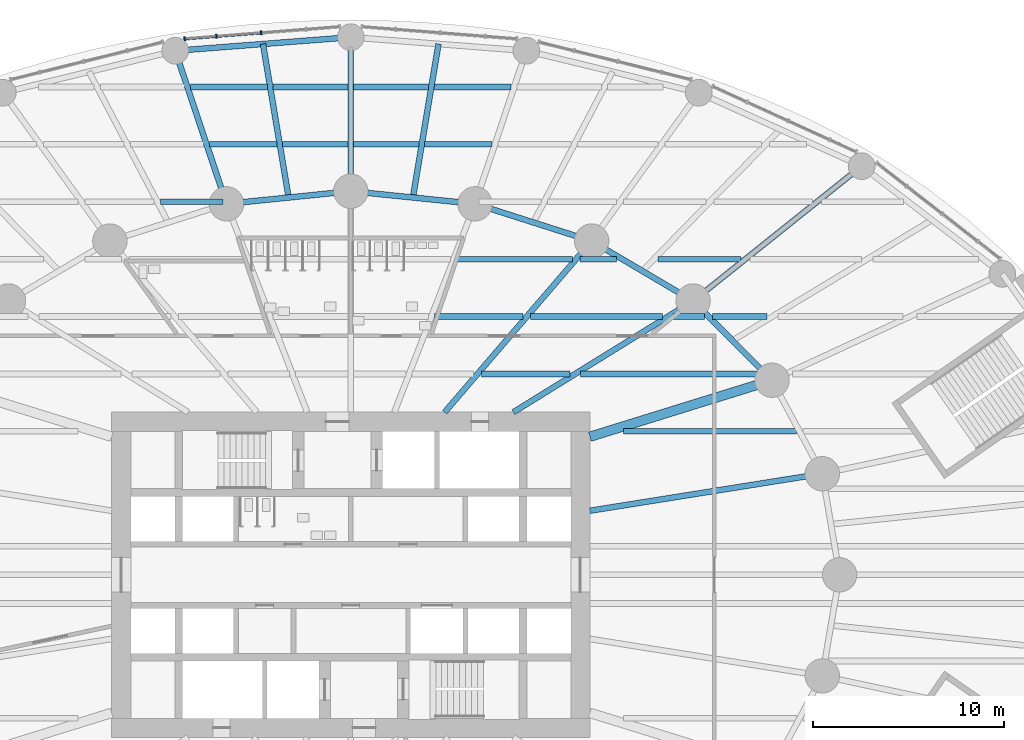
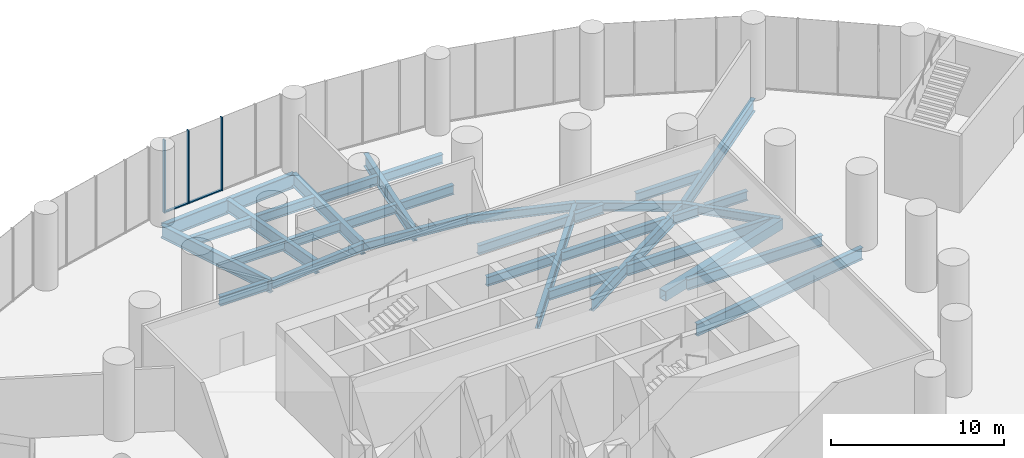
# One storey, part 9 of 21: 34 beams, 5 members, 1 element without a shape of its own.
"""IFC4 building model written with IfcOpenShell, lengths in metres."""

import ifcopenshell
import ifcopenshell.guid

model = None  # the IFC model being written
_history = None  # IfcOwnerHistory: only IFC2X3 demands one
_inside = {}  # id of a spatial element -> (the spatial element, [elements in it])
_under = {}  # id of a project, library or spatial element -> (it, [spatial elements below it])
_declared = {}  # id of a project -> (the project, [libraries it declares])
_typed = {}  # id of a type object -> (the type object, [elements of that type])
_made_of = {}  # id of a material, layer set ... -> (it, [elements and type objects made of it])


def new_model(schema):
    """Start an empty IFC model of exactly this schema.

    Asked for "IFC4X3", IfcOpenShell would pick the latest addendum, in which some entities
    have other attributes; the version numbers below select the first issue.
    IFC2X3 requires an IfcOwnerHistory on every rooted entity: one is made here for all.
    """
    global model, _history
    if schema == "IFC4X3":
        model = ifcopenshell.file(schema_version=(4, 3, 0, 0))
    else:
        model = ifcopenshell.file(schema=schema)
    _inside.clear()
    _under.clear()
    _declared.clear()
    _typed.clear()
    _made_of.clear()
    _history = None
    if model.schema == "IFC2X3":
        org = make("IfcOrganization", Name="unknown")
        user = make(
            "IfcPersonAndOrganization",
            ThePerson=make("IfcPerson", FamilyName="unknown"),
            TheOrganization=org,
        )
        app = make(
            "IfcApplication",
            ApplicationDeveloper=org,
            Version="unknown",
            ApplicationFullName="unknown",
            ApplicationIdentifier="unknown",
        )
        _history = make(
            "IfcOwnerHistory",
            OwningUser=user,
            OwningApplication=app,
            ChangeAction="ADDED",
            CreationDate=0,
        )
    return model


def make(cls, **values):
    """One entity of the class cls with the attributes given. An attribute that is None is left unset."""
    return model.create_entity(
        cls, **{name: value for name, value in values.items() if value is not None}
    )


def rooted(cls, **values):
    """An entity with a GlobalId (a new one), such as an element, a storey or a relation."""
    return make(cls, GlobalId=ifcopenshell.guid.new(), OwnerHistory=_history, **values)


def si_unit(unit_type, name, prefix=None):
    """IfcSIUnit, for example si_unit("LENGTHUNIT", "METRE", prefix="MILLI")."""
    return make("IfcSIUnit", UnitType=unit_type, Prefix=prefix, Name=name)


def assignment(units):
    """IfcUnitAssignment: the units of a project."""
    return None if units is None else make("IfcUnitAssignment", Units=units)


def point(xyz):
    """IfcCartesianPoint."""
    return None if xyz is None else make("IfcCartesianPoint", Coordinates=xyz)


def direction(xyz):
    """IfcDirection."""
    return None if xyz is None else make("IfcDirection", DirectionRatios=xyz)


def frame(location, z_axis=None, x_axis=None):
    """IfcAxis2Placement3D, a coordinate frame: its origin and axes. An axis left out is left unset."""
    return make(
        "IfcAxis2Placement3D",
        Location=point(location),
        Axis=direction(z_axis),
        RefDirection=direction(x_axis),
    )


def frame_2d(location, x_axis=None):
    """IfcAxis2Placement2D, a coordinate frame in the plane: its origin and x axis."""
    return make(
        "IfcAxis2Placement2D", Location=point(location), RefDirection=direction(x_axis)
    )


def origin():
    """The frame at (0, 0, 0) with its axes left unset."""
    return frame((0.0, 0.0, 0.0))


def origin_2d():
    """The frame at (0, 0) in the plane with its x axis left unset."""
    return frame_2d((0.0, 0.0))


def place(relative_to, where):
    """IfcLocalPlacement: puts the frame where relative to a parent placement (None: the world)."""
    return make(
        "IfcLocalPlacement", PlacementRelTo=relative_to, RelativePlacement=where
    )


def context(
    kind, dimensions, precision=None, world=None, true_north=None, identifier=None
):
    """IfcGeometricRepresentationContext, for example the 3D "Model" context."""
    return make(
        "IfcGeometricRepresentationContext",
        ContextIdentifier=identifier,
        ContextType=kind,
        CoordinateSpaceDimension=dimensions,
        Precision=precision,
        WorldCoordinateSystem=world,
        TrueNorth=true_north,
    )


def subcontext(parent, identifier, kind, view, scale=None):
    """IfcGeometricRepresentationSubContext, for example "Body" below "Model"."""
    return make(
        "IfcGeometricRepresentationSubContext",
        ContextIdentifier=identifier,
        ContextType=kind,
        ParentContext=parent,
        TargetScale=scale,
        TargetView=view,
    )


def project(units=None, contexts=None):
    """IfcProject with its units and contexts."""
    return rooted(
        "IfcProject",
        Name="project",
        RepresentationContexts=contexts,
        UnitsInContext=assignment(units),
    )


def spatial(cls, under=None, at=None, **own):
    """A site, building, storey or space (cls), placed at a placement, below another one or the project."""
    s = rooted(cls, ObjectPlacement=at, **own)
    if under is not None:
        _under.setdefault(under.id(), (under, []))[1].append(s)
    return s


def profile(cls, at=None, kind="AREA", **sizes):
    """A parametric profile (cls). Its sizes go by their IFC names, for example OverallWidth=200.0."""
    return make(cls, ProfileType=kind, Position=at, **sizes)


def rectangle(**sizes):
    """IfcRectangleProfileDef."""
    return profile("IfcRectangleProfileDef", **sizes)


def hollow_rectangle(**sizes):
    """IfcRectangleHollowProfileDef."""
    return profile("IfcRectangleHollowProfileDef", **sizes)


def i_section(**sizes):
    """IfcIShapeProfileDef."""
    return profile("IfcIShapeProfileDef", **sizes)


def extrude(swept, where, along, depth):
    """IfcExtrudedAreaSolid: the profile swept, set in the frame where, extruded along a direction by depth."""
    return make(
        "IfcExtrudedAreaSolid",
        SweptArea=swept,
        Position=where,
        ExtrudedDirection=direction(along),
        Depth=depth,
    )


def shape(context_of_items, identifier, shape_type, items):
    """IfcShapeRepresentation: the items that make up one representation, for example the "Body"."""
    return make(
        "IfcShapeRepresentation",
        ContextOfItems=context_of_items,
        RepresentationIdentifier=identifier,
        RepresentationType=shape_type,
        Items=items,
    )


def material(Name=None, Category=None):
    """IfcMaterial."""
    return make("IfcMaterial", Name=Name, Category=Category)


def material_profile(
    of_material, cross_section, Name=None, Category=None, Priority=None
):
    """IfcMaterialProfile: a cross section and its material."""
    return make(
        "IfcMaterialProfile",
        Name=Name,
        Material=of_material,
        Profile=cross_section,
        Priority=Priority,
        Category=Category,
    )


def profile_set(profiles, Name=None, composite=None):
    """IfcMaterialProfileSet."""
    return make(
        "IfcMaterialProfileSet",
        Name=Name,
        MaterialProfiles=profiles,
        CompositeProfile=composite,
    )


def made_of(thing, what):
    """Note that an element or type object is made of a material, layer set ...; save() writes the relation."""
    if what is not None:
        _made_of.setdefault(what.id(), (what, []))[1].append(thing)
    return thing


def type_object(cls, material=None, **own):
    """A type object (cls), such as IfcWallType, which elements share."""
    return made_of(rooted(cls, **own), material)


def element(
    cls,
    number,
    at=None,
    inside=None,
    cuts=None,
    type_object=None,
    material=None,
    context=None,
    identifier="Body",
    shape_type=None,
    held_by="IfcProductDefinitionShape",
    body=None,
    shapes=None,
    **own,
):
    """One element of the class cls, such as IfcWall. Its Tag is "e" and its number.

    at: its placement. inside: the storey or other place that contains it. cuts: it is an
    opening in that element (IfcRelVoidsElement). A single representation is given by context,
    identifier, shape_type and body (its items); several are given by shapes. held_by: the class
    of the entity that holds the representations. save() writes the other relations.
    """
    e = rooted(cls, Tag="e%d" % number, ObjectPlacement=at, **own)
    if body is not None:
        shapes = [shape(context, identifier, shape_type, body)]
    if shapes is not None:
        e.Representation = make(held_by, Representations=shapes)
    if inside is not None:
        _inside.setdefault(inside.id(), (inside, []))[1].append(e)
    if cuts is not None:
        rooted(
            "IfcRelVoidsElement", RelatingBuildingElement=cuts, RelatedOpeningElement=e
        )
    if type_object is not None:
        _typed.setdefault(type_object.id(), (type_object, []))[1].append(e)
    return made_of(e, material)


def aggregate(whole, parts):
    """IfcRelAggregates: a whole, such as a stair, and the parts it consists of."""
    return rooted("IfcRelAggregates", RelatingObject=whole, RelatedObjects=parts)


def save(model, path):
    """Write the relations noted so far, then the file.

    IfcRelAggregates (storeys below a building ...), IfcRelContainedInSpatialStructure (elements
    in a storey), IfcRelDefinesByType, IfcRelAssociatesMaterial and IfcRelDeclares: one each for
    every whole, place, type object, material and project.
    """
    for whole, parts in _under.values():
        aggregate(whole, parts)
    for where, things in _inside.values():
        rooted(
            "IfcRelContainedInSpatialStructure",
            RelatedElements=things,
            RelatingStructure=where,
        )
    for kind, things in _typed.values():
        rooted("IfcRelDefinesByType", RelatedObjects=things, RelatingType=kind)
    for what, things in _made_of.values():
        rooted("IfcRelAssociatesMaterial", RelatedObjects=things, RelatingMaterial=what)
    for by, libraries in _declared.values():
        rooted("IfcRelDeclares", RelatingContext=by, RelatedDefinitions=libraries)
    model.write(path)


model = new_model("IFC4")

# Units and contexts
model_context = context("Model", 3, precision=1e-05, world=origin(), true_north=direction((0.0, 1.0)))
body_context = subcontext(model_context, "Body", "Model", "MODEL_VIEW")
ifc_project = project(units=[si_unit("LENGTHUNIT", "METRE"), si_unit("AREAUNIT", "SQUARE_METRE"), si_unit("VOLUMEUNIT", "CUBIC_METRE"), si_unit("PLANEANGLEUNIT", "RADIAN"), si_unit("MASSUNIT", "GRAM", prefix="KILO")], contexts=[model_context])

# Site, building, storey
site_placement = place(None, origin())
site = spatial("IfcSite", under=ifc_project, at=site_placement, CompositionType="ELEMENT")
building_placement = place(site_placement, origin())
building = spatial("IfcBuilding", under=site, at=building_placement, Name="Hankou Lantern Tower", CompositionType="ELEMENT")
storey_placement = place(building_placement, frame((0.0, 0.0, 13.800048828125)))
storey = spatial("IfcBuildingStorey", under=building, at=storey_placement, Name="L02", CompositionType="ELEMENT", Elevation=13.800048828125)

# Beams
ifc_material_1 = material(Name="Steel Q355B", Category="steel")
ifc_material_profile_1 = material_profile(ifc_material_1, i_section(OverallWidth=0.300048828125, OverallDepth=0.587890625, WebThickness=0.011962890625, FlangeThickness=0.02001953125, FilletRadius=0.01806640625, at=origin_2d()), Name="HM588x300x12x20")
ifc_profile_set_1 = profile_set([ifc_material_profile_1], Name="Steel Q355B")
beam_type_1 = type_object("IfcBeamType", Name="EB16 RING BEAM HM588x300x12x20", PredefinedType="SPANDREL", material=ifc_profile_set_1)
beam_1_placement = place(storey_placement, frame((22.01904296875, 10.170166015625, -0.5439453125), z_axis=(-0.705727798394, 0.708483079949, 0.0), x_axis=(-0.708483079949, -0.705727798394, 0.0)))
element("IfcBeam", 1, at=beam_1_placement, inside=storey, type_object=beam_type_1, Name="Ring beam R03-R04 L02", PredefinedType="SPANDREL", context=body_context, shape_type="SweptSolid", body=[
    extrude(i_section(OverallWidth=0.300048828125, OverallDepth=0.587890625, WebThickness=0.011962890625, FlangeThickness=0.02001953125, FilletRadius=0.01806640625, at=origin_2d()), origin(), (0.0, 0.0, 1.0), 5.84814453125),
])
beam_2_placement = place(storey_placement, frame((17.891845703125, 14.3134765625, -0.5439453125), z_axis=(-0.860881533543, 0.508805449268, 0.0), x_axis=(-0.508805449268, -0.860881533543, 0.0)))
element("IfcBeam", 2, at=beam_2_placement, inside=storey, type_object=beam_type_1, Name="Ring beam R04-R05 L02", PredefinedType="SPANDREL", context=body_context, shape_type="SweptSolid", body=[
    extrude(i_section(OverallWidth=0.300048828125, OverallDepth=0.587890625, WebThickness=0.011962890625, FlangeThickness=0.02001953125, FilletRadius=0.01806640625, at=origin_2d()), origin(), (0.0, 0.0, 1.0), 6.15771484375),
])
beam_3_placement = place(storey_placement, frame((12.5908203125, 17.446533203125, -0.5439453125), z_axis=(-0.952690479428, 0.303942182671, 0.0), x_axis=(-0.303942182671, -0.952690479428, 0.0)))
element("IfcBeam", 3, at=beam_3_placement, inside=storey, type_object=beam_type_1, Name="Ring beam R05-R06 L02", PredefinedType="SPANDREL", context=body_context, shape_type="SweptSolid", body=[
    extrude(i_section(OverallWidth=0.300048828125, OverallDepth=0.587890625, WebThickness=0.011962890625, FlangeThickness=0.02001953125, FilletRadius=0.01806640625, at=origin_2d()), origin(), (0.0, 0.0, 1.0), 6.398681640625),
])
for number, where, z_axis, x_axis, name in (
    (4, (6.494873046875, 19.391357421875, -0.5439453125), (-0.994896616842, 0.100899562915, 0.0), (-0.100899562915, -0.994896616842, 0.0), "Ring beam R06-R07 L02"),
    (5, (0.0, 20.050048828125, -0.5439453125), (-0.994896616842, -0.100899562915, 0.0), (0.100899562915, -0.994896616842, 0.0), "Ring beam R07-R08 L02"),
):
    element("IfcBeam", number, at=place(storey_placement, frame(where, z_axis=z_axis, x_axis=x_axis)), inside=storey, type_object=beam_type_1, Name=name, PredefinedType="SPANDREL", context=body_context, shape_type="SweptSolid", body=[
        extrude(i_section(OverallWidth=0.300048828125, OverallDepth=0.587890625, WebThickness=0.011962890625, FlangeThickness=0.02001953125, FilletRadius=0.01806640625, at=origin_2d()), origin(), (0.0, 0.0, 1.0), 6.528076171875),
    ])

# Curtain wall, members
ifc_material_2 = material(Name="Glass, dark grey tinted laminated", Category="glass")
curtain_wall_type = type_object("IfcCurtainWallType", Name="CWP PODIUM CURTAIN WALL", PredefinedType="USERDEFINED", material=ifc_material_2)
curtain_wall_placement = place(storey_placement, origin())
curtain_wall = element("IfcCurtainWall", 6, at=curtain_wall_placement, inside=storey, type_object=curtain_wall_type, Name="CWP L02 PC05", ObjectType="PODIUM GLAZING", PredefinedType="USERDEFINED")
ifc_material_3 = material(Name="Aluminium, black anodised", Category="aluminium")
ifc_material_profile_2 = material_profile(ifc_material_3, rectangle(XDim=0.080078125, YDim=0.199951171875, at=origin_2d()), Name="MU2 80X200")
ifc_profile_set_2 = profile_set([ifc_material_profile_2], Name="Aluminium, black anodised")
member_type_1 = type_object("IfcMemberType", Name="MU2 PODIUM MULLION 80X200", PredefinedType="MULLION", material=ifc_profile_set_2)
member_1_placement = place(storey_placement, frame((-4.68359375, 28.333251953125, 0.0), z_axis=(0.0, 0.0, 1.0), x_axis=(-0.996948515213, -0.078061885796, 0.0)))
member_1 = element("IfcMember", 7, at=member_1_placement, type_object=member_type_1, Name="CWP mullion 3", PredefinedType="MULLION", context=body_context, shape_type="SweptSolid", body=[
    extrude(rectangle(XDim=0.080078125, YDim=0.199951171875, at=origin_2d()), origin(), (0.0, 0.0, 1.0), 5.14990234375),
])
member_2_placement = place(storey_placement, frame((-7.025146484375, 28.14990234375, 0.0), z_axis=(0.0, 0.0, 1.0), x_axis=(-0.996948515213, -0.078061885796, 0.0)))
member_2 = element("IfcMember", 8, at=member_2_placement, type_object=member_type_1, Name="CWP mullion 4", PredefinedType="MULLION", context=body_context, shape_type="SweptSolid", body=[
    extrude(rectangle(XDim=0.080078125, YDim=0.199951171875, at=origin_2d()), origin(), (0.0, 0.0, 1.0), 5.14990234375),
])
member_3_placement = place(storey_placement, frame((-8.678955078125, 28.0205078125, 0.0), z_axis=(0.0, 0.0, 1.0), x_axis=(-0.996948515213, -0.078061885796, 0.0)))
member_3 = element("IfcMember", 9, at=member_3_placement, type_object=member_type_1, Name="CWP mullion 5", PredefinedType="MULLION", context=body_context, shape_type="SweptSolid", body=[
    extrude(rectangle(XDim=0.080078125, YDim=0.199951171875, at=origin_2d()), origin(), (0.0, 0.0, 1.0), 5.14990234375),
])

# Beams
ifc_material_4 = material(Name="Steel Q355B", Category="steel")
ifc_material_profile_3 = material_profile(ifc_material_4, i_section(OverallWidth=0.300048828125, OverallDepth=0.89990234375, WebThickness=0.01611328125, FlangeThickness=0.028076171875, FilletRadius=0.01806640625, at=origin_2d()), Name="HN900x300x16x28")
ifc_profile_set_3 = profile_set([ifc_material_profile_3], Name="Steel Q355B")
beam_type_2 = type_object("IfcBeamType", Name="PB13 PODIUM RADIAL BEAM HN900x300x16x28", PredefinedType="BEAM", material=ifc_profile_set_3)
beam_4_placement = place(storey_placement, frame((17.891845703125, 14.3134765625, -0.699951171875), z_axis=(0.780875142676, 0.624687130931, 0.0), x_axis=(-0.624687130931, 0.780875142676, 0.0)))
element("IfcBeam", 10, at=beam_4_placement, inside=storey, type_object=beam_type_2, Name="Podium radial beam R04 L02", PredefinedType="BEAM", context=body_context, shape_type="SweptSolid", body=[
    extrude(i_section(OverallWidth=0.300048828125, OverallDepth=0.89990234375, WebThickness=0.01611328125, FlangeThickness=0.028076171875, FilletRadius=0.01806640625, at=origin_2d()), origin(), (0.0, 0.0, 1.0), 11.28271484375),
])
beam_5_placement = place(storey_placement, frame((0.0, 20.050048828125, -0.699951171875), z_axis=(0.0, 1.0, 0.0), x_axis=(-1.0, 0.0, 0.0)))
element("IfcBeam", 11, at=beam_5_placement, inside=storey, type_object=beam_type_2, Name="Podium radial beam R07 L02", PredefinedType="BEAM", context=body_context, shape_type="SweptSolid", body=[
    extrude(i_section(OverallWidth=0.300048828125, OverallDepth=0.89990234375, WebThickness=0.01611328125, FlangeThickness=0.028076171875, FilletRadius=0.01806640625, at=origin_2d()), origin(), (0.0, 0.0, 1.0), 8.050048828125),
])
beam_6_placement = place(storey_placement, frame((-6.494873046875, 19.391357421875, -0.699951171875), z_axis=(-0.317599116391, 0.948225079434, 0.0), x_axis=(-0.948225079434, -0.317599116391, 0.0)))
element("IfcBeam", 12, at=beam_6_placement, inside=storey, type_object=beam_type_2, Name="Podium radial beam R08 L02", PredefinedType="BEAM", context=body_context, shape_type="SweptSolid", body=[
    extrude(i_section(OverallWidth=0.300048828125, OverallDepth=0.89990234375, WebThickness=0.01611328125, FlangeThickness=0.028076171875, FilletRadius=0.01806640625, at=origin_2d()), origin(), (0.0, 0.0, 1.0), 8.4365234375),
])
ifc_material_5 = material(Name="Steel Q355B", Category="steel")
ifc_material_profile_4 = material_profile(ifc_material_5, i_section(OverallWidth=0.300048828125, OverallDepth=1.0, WebThickness=0.01904296875, FlangeThickness=0.035888671875, FilletRadius=0.01806640625, at=origin_2d()), Name="HN1000x300x19x36")
ifc_profile_set_4 = profile_set([ifc_material_profile_4], Name="Steel Q355B")
beam_type_3 = type_object("IfcBeamType", Name="PR22 PODIUM RING BEAM HN1000x300x19x36", PredefinedType="BEAM", material=ifc_profile_set_4)
beam_7_placement = place(storey_placement, frame((0.0, 28.10009765625, -0.75), z_axis=(-0.997027266507, -0.077049528499, 0.0), x_axis=(0.077049528499, -0.997027266507, 0.0)))
element("IfcBeam", 13, at=beam_7_placement, inside=storey, type_object=beam_type_3, Name="Podium ring beam R07-R08 L02", PredefinedType="BEAM", context=body_context, shape_type="SweptSolid", body=[
    extrude(i_section(OverallWidth=0.300048828125, OverallDepth=1.0, WebThickness=0.01904296875, FlangeThickness=0.035888671875, FilletRadius=0.01806640625, at=origin_2d()), origin(), (0.0, 0.0, 1.0), 9.20166015625),
])
ifc_material_6 = material(Name="Steel Q355B", Category="steel")
ifc_material_profile_5 = material_profile(ifc_material_6, i_section(OverallWidth=0.300048828125, OverallDepth=0.89990234375, WebThickness=0.01611328125, FlangeThickness=0.028076171875, FilletRadius=0.01806640625, at=origin_2d()), Name="HN900x300x16x28")
ifc_profile_set_5 = profile_set([ifc_material_profile_5], Name="Steel Q355B")
beam_type_4 = type_object("IfcBeamType", Name="PS13 PODIUM SECONDARY BEAM HN900x300x16x28", PredefinedType="JOIST", material=ifc_profile_set_5)
for number, where, z_axis, x_axis, name in (
    (14, (3.24755859375, 19.720703125, -0.699951171875), (0.164652019445, 0.986351718452, 0.0), (-0.986351718452, 0.164652019445, 0.0), "Podium secondary beam bay R06 L02"),
    (15, (-3.24755859375, 19.720703125, -0.699951171875), (-0.164652019445, 0.986351718452, 0.0), (-0.986351718452, -0.164652019445, 0.0), "Podium secondary beam bay R07 L02"),
):
    element("IfcBeam", number, at=place(storey_placement, frame(where, z_axis=z_axis, x_axis=x_axis)), inside=storey, type_object=beam_type_4, Name=name, PredefinedType="JOIST", context=body_context, shape_type="SweptSolid", body=[
        extrude(i_section(OverallWidth=0.300048828125, OverallDepth=0.89990234375, WebThickness=0.01611328125, FlangeThickness=0.028076171875, FilletRadius=0.01806640625, at=origin_2d()), origin(), (0.0, 0.0, 1.0), 8.135986328125),
    ])
ifc_material_7 = material(Name="Steel Q355B", Category="steel")
ifc_material_profile_6 = material_profile(ifc_material_7, i_section(OverallWidth=0.300048828125, OverallDepth=0.85009765625, WebThickness=0.01611328125, FlangeThickness=0.027099609375, FilletRadius=0.01806640625, at=origin_2d()), Name="HN850x300x16x27")
ifc_profile_set_6 = profile_set([ifc_material_profile_6], Name="Steel Q355B")
beam_type_5 = type_object("IfcBeamType", Name="RB12 RADIAL BEAM HN850x300x16x27", PredefinedType="BEAM", material=ifc_profile_set_6)
beam_8_placement = place(storey_placement, frame((12.5, 3.349365234375, -0.675048828125), z_axis=(0.987563081343, 0.157223281893, 0.0), x_axis=(-0.157223281893, 0.987563081343, 0.0)))
element("IfcBeam", 16, at=beam_8_placement, inside=storey, type_object=beam_type_5, Name="Radial beam R02 L02", PredefinedType="BEAM", context=body_context, shape_type="SweptSolid", body=[
    extrude(i_section(OverallWidth=0.300048828125, OverallDepth=0.85009765625, WebThickness=0.01611328125, FlangeThickness=0.027099609375, FilletRadius=0.01806640625, at=origin_2d()), origin(), (0.0, 0.0, 1.0), 12.300048828125),
])
beam_9_placement = place(storey_placement, frame((8.5, 8.5, -0.675048828125), z_axis=(0.850286343288, 0.526320372414, 0.0), x_axis=(-0.526320372414, 0.850286343288, 0.0)))
element("IfcBeam", 17, at=beam_9_placement, inside=storey, type_object=beam_type_5, Name="Radial beam R04 L02", PredefinedType="BEAM", context=body_context, shape_type="SweptSolid", body=[
    extrude(i_section(OverallWidth=0.300048828125, OverallDepth=0.85009765625, WebThickness=0.01611328125, FlangeThickness=0.027099609375, FilletRadius=0.01806640625, at=origin_2d()), origin(), (0.0, 0.0, 1.0), 11.04541015625),
])
beam_10_placement = place(storey_placement, frame((4.907470703125, 8.5, -0.675048828125), z_axis=(0.651519061225, 0.758632264579, 0.0), x_axis=(-0.758632264579, 0.651519061225, 0.0)))
element("IfcBeam", 18, at=beam_10_placement, inside=storey, type_object=beam_type_5, Name="Radial beam R05 L02", PredefinedType="BEAM", context=body_context, shape_type="SweptSolid", body=[
    extrude(i_section(OverallWidth=0.300048828125, OverallDepth=0.85009765625, WebThickness=0.01611328125, FlangeThickness=0.027099609375, FilletRadius=0.01806640625, at=origin_2d()), origin(), (0.0, 0.0, 1.0), 11.79296875),
])
ifc_material_8 = material(Name="Steel Q355B", Category="steel")
ifc_material_profile_7 = material_profile(ifc_material_8, hollow_rectangle(XDim=0.5, YDim=0.699951171875, WallThickness=0.0400390625, at=origin_2d()), Name="BOX700x500x40")
ifc_profile_set_7 = profile_set([ifc_material_profile_7], Name="Steel Q355B")
beam_type_6 = type_object("IfcBeamType", Name="RB25 RADIAL BEAM BOX700x500x40", PredefinedType="BEAM", material=ifc_profile_set_7)
beam_11_placement = place(storey_placement, frame((12.5, 7.216796875, -0.60009765625), z_axis=(0.955087327755, 0.29632447817, 0.0), x_axis=(-0.29632447817, 0.955087327755, 0.0)))
element("IfcBeam", 19, at=beam_11_placement, inside=storey, type_object=beam_type_6, Name="Radial beam R03 L02", PredefinedType="BEAM", context=body_context, shape_type="SweptSolid", body=[
    extrude(hollow_rectangle(XDim=0.5, YDim=0.699951171875, WallThickness=0.0400390625, at=origin_2d()), origin(), (0.0, 0.0, 1.0), 9.966552734375),
])
ifc_material_9 = material(Name="Steel Q355B", Category="steel")
ifc_material_profile_8 = material_profile(ifc_material_9, i_section(OverallWidth=0.300048828125, OverallDepth=0.75, WebThickness=0.012939453125, FlangeThickness=0.02392578125, FilletRadius=0.01806640625, at=origin_2d()), Name="HN750x300x13x24")
ifc_profile_set_8 = profile_set([ifc_material_profile_8], Name="Steel Q355B")
beam_type_7 = type_object("IfcBeamType", Name="SB10 SECONDARY BEAM HN750x300x13x24", PredefinedType="JOIST", material=ifc_profile_set_8)
beam_12_placement = place(storey_placement, frame((14.25634765625, 7.5, -0.625), z_axis=(1.0, 0.0, 0.0), x_axis=(0.0, 1.0, 0.0)))
element("IfcBeam", 20, at=beam_12_placement, inside=storey, type_object=beam_type_7, Name="Floor joist J098 L02", PredefinedType="JOIST", context=body_context, shape_type="SweptSolid", body=[
    extrude(i_section(OverallWidth=0.300048828125, OverallDepth=0.75, WebThickness=0.012939453125, FlangeThickness=0.02392578125, FilletRadius=0.01806640625, at=origin_2d()), origin(), (0.0, 0.0, 1.0), 9.0283203125),
])
beam_13_placement = place(storey_placement, frame((12.01611328125, 10.5, -0.625), z_axis=(1.0, 0.0, 0.0), x_axis=(0.0, 1.0, 0.0)))
element("IfcBeam", 21, at=beam_13_placement, inside=storey, type_object=beam_type_7, Name="Floor joist J109 L02", PredefinedType="JOIST", context=body_context, shape_type="SweptSolid", body=[
    extrude(i_section(OverallWidth=0.300048828125, OverallDepth=0.75, WebThickness=0.012939453125, FlangeThickness=0.02392578125, FilletRadius=0.01806640625, at=origin_2d()), origin(), (0.0, 0.0, 1.0), 9.462646484375),
])
ifc_material_10 = material(Name="Steel Q355B", Category="steel")
ifc_material_profile_9 = material_profile(ifc_material_10, i_section(OverallWidth=0.300048828125, OverallDepth=0.64990234375, WebThickness=0.010986328125, FlangeThickness=0.01708984375, FilletRadius=0.01806640625, at=origin_2d()), Name="HN650x300x11x17")
ifc_profile_set_9 = profile_set([ifc_material_profile_9], Name="Steel Q355B")
beam_type_8 = type_object("IfcBeamType", Name="SB8 SECONDARY BEAM HN650x300x11x17", PredefinedType="JOIST", material=ifc_profile_set_9)
beam_14_placement = place(storey_placement, frame((6.82275390625, 10.5, -0.574951171875), z_axis=(1.0, 0.0, 0.0), x_axis=(0.0, 1.0, 0.0)))
element("IfcBeam", 22, at=beam_14_placement, inside=storey, type_object=beam_type_8, Name="Floor joist J108 L02", PredefinedType="JOIST", context=body_context, shape_type="SweptSolid", body=[
    extrude(i_section(OverallWidth=0.300048828125, OverallDepth=0.64990234375, WebThickness=0.010986328125, FlangeThickness=0.01708984375, FilletRadius=0.01806640625, at=origin_2d()), origin(), (0.0, 0.0, 1.0), 4.623291015625),
])
beam_15_placement = place(storey_placement, frame((4.37451171875, 13.5, -0.574951171875), z_axis=(1.0, 0.0, 0.0), x_axis=(0.0, 1.0, 0.0)))
element("IfcBeam", 23, at=beam_15_placement, inside=storey, type_object=beam_type_8, Name="Floor joist J119 L02", PredefinedType="JOIST", context=body_context, shape_type="SweptSolid", body=[
    extrude(i_section(OverallWidth=0.300048828125, OverallDepth=0.64990234375, WebThickness=0.010986328125, FlangeThickness=0.01708984375, FilletRadius=0.01806640625, at=origin_2d()), origin(), (0.0, 0.0, 1.0), 4.62939453125),
])
beam_16_placement = place(storey_placement, frame((9.3994140625, 13.5, -0.574951171875), z_axis=(1.0, 0.0, 0.0), x_axis=(0.0, 1.0, 0.0)))
element("IfcBeam", 24, at=beam_16_placement, inside=storey, type_object=beam_type_8, Name="Floor joist J120 L02", PredefinedType="JOIST", context=body_context, shape_type="SweptSolid", body=[
    extrude(i_section(OverallWidth=0.300048828125, OverallDepth=0.64990234375, WebThickness=0.010986328125, FlangeThickness=0.01708984375, FilletRadius=0.01806640625, at=origin_2d()), origin(), (0.0, 0.0, 1.0), 6.893310546875),
])
beam_17_placement = place(storey_placement, frame((16.86279296875, 13.5, -0.574951171875), z_axis=(1.0, 0.0, 0.0), x_axis=(0.0, 1.0, 0.0)))
element("IfcBeam", 25, at=beam_17_placement, inside=storey, type_object=beam_type_8, Name="Floor joist J121 L02", PredefinedType="JOIST", context=body_context, shape_type="SweptSolid", body=[
    extrude(i_section(OverallWidth=0.300048828125, OverallDepth=0.64990234375, WebThickness=0.010986328125, FlangeThickness=0.01708984375, FilletRadius=0.01806640625, at=origin_2d()), origin(), (0.0, 0.0, 1.0), 1.62744140625),
])
beam_18_placement = place(storey_placement, frame((18.913818359375, 13.5, -0.574951171875), z_axis=(1.0, 0.0, 0.0), x_axis=(0.0, 1.0, 0.0)))
element("IfcBeam", 26, at=beam_18_placement, inside=storey, type_object=beam_type_8, Name="Floor joist J122 L02", PredefinedType="JOIST", context=body_context, shape_type="SweptSolid", body=[
    extrude(i_section(OverallWidth=0.300048828125, OverallDepth=0.64990234375, WebThickness=0.010986328125, FlangeThickness=0.01708984375, FilletRadius=0.01806640625, at=origin_2d()), origin(), (0.0, 0.0, 1.0), 2.832275390625),
])
beam_19_placement = place(storey_placement, frame((5.5361328125, 16.5, -0.574951171875), z_axis=(1.0, 0.0, 0.0), x_axis=(0.0, 1.0, 0.0)))
element("IfcBeam", 27, at=beam_19_placement, inside=storey, type_object=beam_type_8, Name="Floor joist J132 L02", PredefinedType="JOIST", context=body_context, shape_type="SweptSolid", body=[
    extrude(i_section(OverallWidth=0.300048828125, OverallDepth=0.64990234375, WebThickness=0.010986328125, FlangeThickness=0.01708984375, FilletRadius=0.01806640625, at=origin_2d()), origin(), (0.0, 0.0, 1.0), 6.044189453125),
])
beam_20_placement = place(storey_placement, frame((11.975830078125, 16.5, -0.574951171875), z_axis=(1.0, 0.0, 0.0), x_axis=(0.0, 1.0, 0.0)))
element("IfcBeam", 28, at=beam_20_placement, inside=storey, type_object=beam_type_8, Name="Floor joist J133 L02", PredefinedType="JOIST", context=body_context, shape_type="SweptSolid", body=[
    extrude(i_section(OverallWidth=0.300048828125, OverallDepth=0.64990234375, WebThickness=0.010986328125, FlangeThickness=0.01708984375, FilletRadius=0.01806640625, at=origin_2d()), origin(), (0.0, 0.0, 1.0), 1.921630859375),
])
beam_21_placement = place(storey_placement, frame((16.05419921875, 16.5, -0.574951171875), z_axis=(1.0, 0.0, 0.0), x_axis=(0.0, 1.0, 0.0)))
element("IfcBeam", 29, at=beam_21_placement, inside=storey, type_object=beam_type_8, Name="Floor joist J134 L02", PredefinedType="JOIST", context=body_context, shape_type="SweptSolid", body=[
    extrude(i_section(OverallWidth=0.300048828125, OverallDepth=0.64990234375, WebThickness=0.010986328125, FlangeThickness=0.01708984375, FilletRadius=0.01806640625, at=origin_2d()), origin(), (0.0, 0.0, 1.0), 4.33056640625),
])
beam_22_placement = place(storey_placement, frame((-9.94140625, 19.5, -0.574951171875), z_axis=(1.0, 0.0, 0.0), x_axis=(0.0, 1.0, 0.0)))
element("IfcBeam", 30, at=beam_22_placement, inside=storey, type_object=beam_type_8, Name="Floor joist J141 L02", PredefinedType="JOIST", context=body_context, shape_type="SweptSolid", body=[
    extrude(i_section(OverallWidth=0.300048828125, OverallDepth=0.64990234375, WebThickness=0.010986328125, FlangeThickness=0.01708984375, FilletRadius=0.01806640625, at=origin_2d()), origin(), (0.0, 0.0, 1.0), 3.251953125),
])
beam_23_placement = place(storey_placement, frame((-7.3779296875, 22.5, -0.574951171875), z_axis=(1.0, 0.0, 0.0), x_axis=(0.0, 1.0, 0.0)))
element("IfcBeam", 31, at=beam_23_placement, inside=storey, type_object=beam_type_8, Name="Floor joist J153 L02", PredefinedType="JOIST", context=body_context, shape_type="SweptSolid", body=[
    extrude(i_section(OverallWidth=0.300048828125, OverallDepth=0.64990234375, WebThickness=0.010986328125, FlangeThickness=0.01708984375, FilletRadius=0.01806640625, at=origin_2d()), origin(), (0.0, 0.0, 1.0), 3.514404296875),
])
for number, where, z_axis, x_axis, name in (
    (32, (-3.559326171875, 22.5, -0.574951171875), (1.0, 0.0, 0.0), (0.0, 1.0, 0.0), "Floor joist J154 L02"),
    (33, (0.14990234375, 22.5, -0.574951171875), (1.0, 0.0, 0.0), (0.0, 1.0, 0.0), "Floor joist J155 L02"),
):
    element("IfcBeam", number, at=place(storey_placement, frame(where, z_axis=z_axis, x_axis=x_axis)), inside=storey, type_object=beam_type_8, Name=name, PredefinedType="JOIST", context=body_context, shape_type="SweptSolid", body=[
        extrude(i_section(OverallWidth=0.300048828125, OverallDepth=0.64990234375, WebThickness=0.010986328125, FlangeThickness=0.01708984375, FilletRadius=0.01806640625, at=origin_2d()), origin(), (0.0, 0.0, 1.0), 3.409423828125),
    ])
beam_24_placement = place(storey_placement, frame((3.863525390625, 22.5, -0.574951171875), z_axis=(1.0, 0.0, 0.0), x_axis=(0.0, 1.0, 0.0)))
element("IfcBeam", 34, at=beam_24_placement, inside=storey, type_object=beam_type_8, Name="Floor joist J156 L02", PredefinedType="JOIST", context=body_context, shape_type="SweptSolid", body=[
    extrude(i_section(OverallWidth=0.300048828125, OverallDepth=0.64990234375, WebThickness=0.010986328125, FlangeThickness=0.01708984375, FilletRadius=0.01806640625, at=origin_2d()), origin(), (0.0, 0.0, 1.0), 3.514404296875),
])
beam_25_placement = place(storey_placement, frame((-8.3828125, 25.5, -0.574951171875), z_axis=(1.0, 0.0, 0.0), x_axis=(0.0, 1.0, 0.0)))
element("IfcBeam", 35, at=beam_25_placement, inside=storey, type_object=beam_type_8, Name="Floor joist J163 L02", PredefinedType="JOIST", context=body_context, shape_type="SweptSolid", body=[
    extrude(i_section(OverallWidth=0.300048828125, OverallDepth=0.64990234375, WebThickness=0.010986328125, FlangeThickness=0.01708984375, FilletRadius=0.01806640625, at=origin_2d()), origin(), (0.0, 0.0, 1.0), 4.0185546875),
])
for number, where, z_axis, x_axis, name in (
    (36, (-4.060302734375, 25.5, -0.574951171875), (1.0, 0.0, 0.0), (0.0, 1.0, 0.0), "Floor joist J164 L02"),
    (37, (0.14990234375, 25.5, -0.574951171875), (1.0, 0.0, 0.0), (0.0, 1.0, 0.0), "Floor joist J165 L02"),
):
    element("IfcBeam", number, at=place(storey_placement, frame(where, z_axis=z_axis, x_axis=x_axis)), inside=storey, type_object=beam_type_8, Name=name, PredefinedType="JOIST", context=body_context, shape_type="SweptSolid", body=[
        extrude(i_section(OverallWidth=0.300048828125, OverallDepth=0.64990234375, WebThickness=0.010986328125, FlangeThickness=0.01708984375, FilletRadius=0.01806640625, at=origin_2d()), origin(), (0.0, 0.0, 1.0), 3.910400390625),
    ])
beam_26_placement = place(storey_placement, frame((4.3642578125, 25.5, -0.574951171875), z_axis=(1.0, 0.0, 0.0), x_axis=(0.0, 1.0, 0.0)))
element("IfcBeam", 38, at=beam_26_placement, inside=storey, type_object=beam_type_8, Name="Floor joist J166 L02", PredefinedType="JOIST", context=body_context, shape_type="SweptSolid", body=[
    extrude(i_section(OverallWidth=0.300048828125, OverallDepth=0.64990234375, WebThickness=0.010986328125, FlangeThickness=0.01708984375, FilletRadius=0.01806640625, at=origin_2d()), origin(), (0.0, 0.0, 1.0), 4.0185546875),
])

# Member
ifc_material_11 = material(Name="Aluminium, black anodised", Category="aluminium")
ifc_material_profile_10 = material_profile(ifc_material_11, rectangle(XDim=0.14990234375, YDim=0.080078125, at=origin_2d()), Name="TR2 150X80")
ifc_profile_set_10 = profile_set([ifc_material_profile_10], Name="Aluminium, black anodised")
member_type_2 = type_object("IfcMemberType", Name="TR2 PODIUM TRANSOM 150X80", PredefinedType="USERDEFINED", material=ifc_profile_set_10)
member_4_placement = place(storey_placement, frame((-4.723388671875, 28.330078125, 0.0400390625), z_axis=(-0.996952341782, -0.078013000301, 0.0), x_axis=(0.078013000301, -0.996952341782, 0.0)))
member_4 = element("IfcMember", 39, at=member_4_placement, type_object=member_type_2, Name="CWP transom 3", ObjectType="TRANSOM", PredefinedType="USERDEFINED", context=body_context, shape_type="SweptSolid", body=[
    extrude(rectangle(XDim=0.14990234375, YDim=0.080078125, at=origin_2d()), origin(), (0.0, 0.0, 1.0), 2.268798828125),
])

member_5_placement = place(storey_placement, frame((-7.065185546875, 28.146728515625, 0.0400390625), z_axis=(-0.996957260436, -0.077950117788, 0.0), x_axis=(0.077950117788, -0.996957260436, 0.0)))
member_5 = element("IfcMember", 40, at=member_5_placement, type_object=member_type_2, Name="CWP transom 4", ObjectType="TRANSOM", PredefinedType="USERDEFINED", context=body_context, shape_type="SweptSolid", body=[
    extrude(rectangle(XDim=0.14990234375, YDim=0.080078125, at=origin_2d()), origin(), (0.0, 0.0, 1.0), 1.57861328125),
])

aggregate(curtain_wall, [member_1, member_2, member_3, member_4, member_5])

save(model, "model.ifc")
